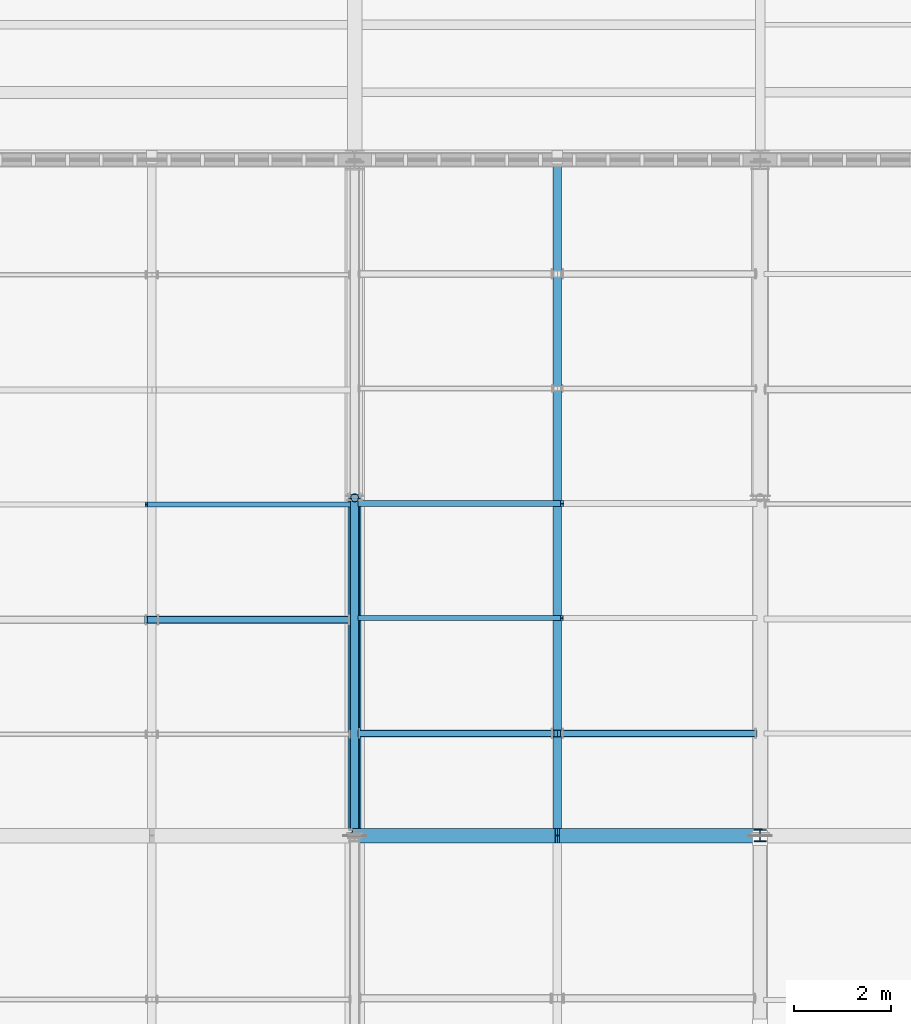
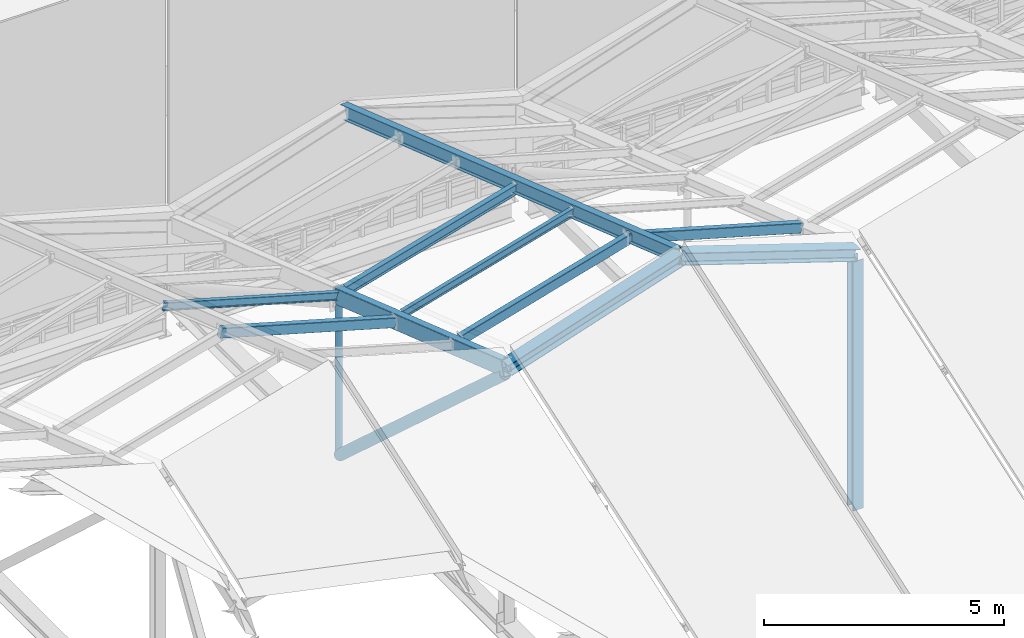
# One storey, part 18 of 77: 13 members.
"""IFC4 building model written with IfcOpenShell, lengths in metres."""

from ifc_helpers import new_model, si_unit, direction, frame, origin, origin_2d, place, context, subcontext, project, spatial, hollow_rectangle, hollow_circle, i_section, extrude, material, material_profile, profile_set, type_object, element, save


model = new_model("IFC4")

# Units and contexts
model_context = context("Model", 3, precision=1e-05, world=origin(), true_north=direction((0.0, 1.0)))
body_context = subcontext(model_context, "Body", "Model", "MODEL_VIEW")
ifc_project = project(units=[si_unit("LENGTHUNIT", "METRE"), si_unit("AREAUNIT", "SQUARE_METRE"), si_unit("VOLUMEUNIT", "CUBIC_METRE"), si_unit("PLANEANGLEUNIT", "RADIAN"), si_unit("MASSUNIT", "GRAM", prefix="KILO")], contexts=[model_context])

# Site, building, storey
site_placement = place(None, origin())
site = spatial("IfcSite", under=ifc_project, at=site_placement, CompositionType="ELEMENT")
building_placement = place(site_placement, origin())
building = spatial("IfcBuilding", under=site, at=building_placement, Name="Larkvane Passage Sports Hall", CompositionType="ELEMENT")
storey_placement = place(building_placement, frame((0.0, 0.0, 22.199951171875)))
storey = spatial("IfcBuildingStorey", under=building, at=storey_placement, Name="RF", CompositionType="ELEMENT", Elevation=22.199951171875)

# Members
ifc_material_1 = material(Name="Steel S355JR", Category="steel")
ifc_material_profile_1 = material_profile(ifc_material_1, hollow_circle(Radius=0.1337890625, WallThickness=0.00927734375, at=origin_2d()), Name="CHS-267.4x9.3")
ifc_profile_set_1 = profile_set([ifc_material_profile_1], Name="Steel S355JR")
member_type_1 = type_object("IfcMemberType", Name="MBR-BR-CHS267", PredefinedType="BRACE", material=ifc_profile_set_1)
member_1_placement = place(storey_placement, frame((51.60009765625, 61.64990234375, 6.489990234375), z_axis=(0.0, 0.741161043602, -0.67132727298), x_axis=(-1.0, 0.0, 0.0)))
element("IfcMember", 1, at=member_1_placement, inside=storey, type_object=member_type_1, Name="Arena roof truss 3 web brace 5", PredefinedType="BRACE", context=body_context, shape_type="SweptSolid", body=[
    extrude(hollow_circle(Radius=0.1337890625, WallThickness=0.00927734375, at=origin_2d()), origin(), (0.0, 0.0, 1.0), 9.309814453125),
])
ifc_material_2 = material(Name="Steel S460N", Category="steel")
ifc_material_profile_2 = material_profile(ifc_material_2, i_section(OverallWidth=0.300048828125, OverallDepth=0.300048828125, WebThickness=0.010009765625, FlangeThickness=0.014892578125, FilletRadius=0.012939453125, at=origin_2d()), Name="H-300x300x10x15")
ifc_profile_set_2 = profile_set([ifc_material_profile_2], Name="Steel S460N")
member_type_2 = type_object("IfcMemberType", Name="MBR-CH-H300", PredefinedType="CHORD", material=ifc_profile_set_2)
for number, where, z_axis, x_axis, name in (
    (2, (51.60009765625, 61.60009765625, 6.679931640625), (0.950691943721, 0.0, 0.310136789407), (0.0, 1.0, 0.0), "Arena roof fold tie 3-RIDGE-W"),
    (3, (55.800048828125, 61.60009765625, 8.050048828125), (0.950691943721, 0.0, -0.310136789407), (0.0, 1.0, 0.0), "Arena roof fold tie 3-RIDGE-E"),
):
    element("IfcMember", number, at=place(storey_placement, frame(where, z_axis=z_axis, x_axis=x_axis)), inside=storey, type_object=member_type_2, Name=name, PredefinedType="CHORD", context=body_context, shape_type="SweptSolid", body=[
        extrude(i_section(OverallWidth=0.300048828125, OverallDepth=0.300048828125, WebThickness=0.010009765625, FlangeThickness=0.014892578125, FilletRadius=0.012939453125, at=origin_2d()), origin(), (0.0, 0.0, 1.0), 4.417724609375),
    ])
ifc_material_profile_3 = material_profile(ifc_material_2, hollow_rectangle(XDim=0.199951171875, YDim=0.39990234375, WallThickness=0.013916015625, InnerFilletRadius=0.013916015625, OuterFilletRadius=0.028076171875, at=origin_2d()), Name="RHS-400x200x14")
ifc_profile_set_3 = profile_set([ifc_material_profile_3], Name="Steel S460N")
member_type_3 = type_object("IfcMemberType", Name="MBR-CH-RHS400", PredefinedType="CHORD", material=ifc_profile_set_3)
member_2_placement = place(storey_placement, frame((51.60009765625, 61.60009765625, 6.679931640625), z_axis=(0.0, 0.945949994576, -0.324312515579), x_axis=(-1.0, 0.0, 0.0)))
element("IfcMember", 4, at=member_2_placement, inside=storey, type_object=member_type_3, Name="Arena roof truss 3 top chord 5", PredefinedType="CHORD", context=body_context, shape_type="SweptSolid", body=[
    extrude(hollow_rectangle(XDim=0.199951171875, YDim=0.39990234375, WallThickness=0.013916015625, InnerFilletRadius=0.013916015625, OuterFilletRadius=0.028076171875, at=origin_2d()), origin(), (0.0, 0.0, 1.0), 7.39990234375),
])
ifc_material_profile_4 = material_profile(ifc_material_1, i_section(OverallWidth=0.10009765625, OverallDepth=0.199951171875, WebThickness=0.005615234375, FlangeThickness=0.008056640625, FilletRadius=0.008056640625, at=origin_2d()), Name="H-200x100x5.5x8")
ifc_profile_set_4 = profile_set([ifc_material_profile_4], Name="Steel S355JR")
member_type_4 = type_object("IfcMemberType", Name="MBR-PR-H200", PredefinedType="PURLIN", material=ifc_profile_set_4)
for number, where, z_axis, x_axis, name in (
    (5, (47.283935546875, 68.460693359375, 5.59375), (0.96152605678, 0.0, -0.274713745804), (0.0, 1.0, 0.0), "Folded roof purlin FRP-B2-NE-3"),
    (6, (51.6953125, 66.105712890625, 5.28271484375), (0.96152605678, 0.0, 0.274713745804), (0.0, 1.0, 0.0), "Folded roof purlin FRP-B3-NW-2"),
):
    element("IfcMember", number, at=place(storey_placement, frame(where, z_axis=z_axis, x_axis=x_axis)), inside=storey, type_object=member_type_4, Name=name, PredefinedType="PURLIN", context=body_context, shape_type="SweptSolid", body=[
        extrude(i_section(OverallWidth=0.10009765625, OverallDepth=0.199951171875, WebThickness=0.005615234375, FlangeThickness=0.008056640625, FilletRadius=0.008056640625, at=origin_2d()), origin(), (0.0, 0.0, 1.0), 4.367919921875),
    ])
ifc_material_profile_5 = material_profile(ifc_material_1, i_section(OverallWidth=0.125, OverallDepth=0.25, WebThickness=0.006103515625, FlangeThickness=0.009033203125, FilletRadius=0.008056640625, at=origin_2d()), Name="H-250x125x6x9")
ifc_profile_set_5 = profile_set([ifc_material_profile_5], Name="Steel S355JR")
member_type_5 = type_object("IfcMemberType", Name="MBR-PR-H250", PredefinedType="PURLIN", material=ifc_profile_set_5)
member_3_placement = place(storey_placement, frame((51.70166015625, 68.477783203125, 4.44384765625), z_axis=(0.961530274547, 0.0, 0.27469898276), x_axis=(0.0, 1.0, 0.0)))
element("IfcMember", 7, at=member_3_placement, inside=storey, type_object=member_type_5, Name="Folded roof purlin FRP-B3-NW-3", PredefinedType="PURLIN", context=body_context, shape_type="SweptSolid", body=[
    extrude(i_section(OverallWidth=0.125, OverallDepth=0.25, WebThickness=0.006103515625, FlangeThickness=0.009033203125, FilletRadius=0.008056640625, at=origin_2d()), origin(), (0.0, 0.0, 1.0), 4.3681640625),
])
ifc_material_profile_6 = material_profile(ifc_material_1, hollow_rectangle(XDim=0.14990234375, YDim=0.25, WallThickness=0.009033203125, InnerFilletRadius=0.009033203125, OuterFilletRadius=0.01806640625, at=origin_2d()), Name="RHS-250x150x9")
ifc_profile_set_6 = profile_set([ifc_material_profile_6], Name="Steel S355JR")
member_type_6 = type_object("IfcMemberType", Name="MBR-PR-RHS250", PredefinedType="PURLIN", material=ifc_profile_set_6)
for number, where, z_axis, x_axis, name in (
    (8, (47.27734375, 66.07275390625, 6.386962890625), (0.961511291812, 0.0, -0.274765419436), (0.0, 1.0, 0.0), "Folded roof purlin FRP-B2-NE-2"),
    (9, (51.70166015625, 63.7177734375, 6.075927734375), (0.961530274547, 0.0, 0.27469898276), (0.0, 1.0, 0.0), "Folded roof purlin FRP-B3-NW-1"),
):
    element("IfcMember", number, at=place(storey_placement, frame(where, z_axis=z_axis, x_axis=x_axis)), inside=storey, type_object=member_type_6, Name=name, PredefinedType="PURLIN", context=body_context, shape_type="SweptSolid", body=[
        extrude(hollow_rectangle(XDim=0.14990234375, YDim=0.25, WallThickness=0.009033203125, InnerFilletRadius=0.009033203125, OuterFilletRadius=0.01806640625, at=origin_2d()), origin(), (0.0, 0.0, 1.0), 4.3681640625),
    ])
member_4_placement = place(storey_placement, frame((55.6982421875, 63.7177734375, 7.27587890625), z_axis=(0.96152605678, 0.0, -0.274713745804), x_axis=(0.0, 1.0, 0.0)))
element("IfcMember", 10, at=member_4_placement, inside=storey, type_object=member_type_6, Name="Folded roof purlin FRP-B3-NE-1", PredefinedType="PURLIN", context=body_context, shape_type="SweptSolid", body=[
    extrude(hollow_rectangle(XDim=0.14990234375, YDim=0.25, WallThickness=0.009033203125, InnerFilletRadius=0.009033203125, OuterFilletRadius=0.01806640625, at=origin_2d()), origin(), (0.0, 0.0, 1.0), 4.367919921875),
])
ifc_material_profile_7 = material_profile(ifc_material_1, i_section(OverallWidth=0.175048828125, OverallDepth=0.35009765625, WebThickness=0.007080078125, FlangeThickness=0.010986328125, FilletRadius=0.012939453125, at=origin_2d()), Name="H-350x175x7x11")
ifc_profile_set_7 = profile_set([ifc_material_profile_7], Name="Steel S355JR")
member_type_7 = type_object("IfcMemberType", Name="MBR-RF-H350", PredefinedType="RAFTER", material=ifc_profile_set_7)
member_5_placement = place(storey_placement, frame((55.800048828125, 61.60009765625, 8.050048828125), z_axis=(0.0, 0.945944933771, -0.324327276487), x_axis=(-1.0, 0.0, 0.0)))
element("IfcMember", 11, at=member_5_placement, inside=storey, type_object=member_type_7, Name="Arena roof fold peak rafter 3-N", PredefinedType="RAFTER", context=body_context, shape_type="SweptSolid", body=[
    extrude(i_section(OverallWidth=0.175048828125, OverallDepth=0.35009765625, WebThickness=0.007080078125, FlangeThickness=0.010986328125, FilletRadius=0.012939453125, at=origin_2d()), origin(), (0.0, 0.0, 1.0), 14.800048828125),
])
ifc_material_profile_8 = material_profile(ifc_material_1, hollow_circle(Radius=0.08251953125, WallThickness=0.006103515625, at=origin_2d()), Name="CHS-165.2x6.0")
ifc_profile_set_8 = profile_set([ifc_material_profile_8], Name="Steel S355JR")
member_type_8 = type_object("IfcMemberType", Name="MBR-ST-CHS165", PredefinedType="STRUT", material=ifc_profile_set_8)
member_6_placement = place(storey_placement, frame((51.60009765625, 68.60009765625, 0.239990234375), z_axis=(0.0, 0.0, 1.0), x_axis=(1.0, 0.0, 0.0)))
element("IfcMember", 12, at=member_6_placement, inside=storey, type_object=member_type_8, Name="Arena roof truss 3 vertical strut 5", PredefinedType="STRUT", context=body_context, shape_type="SweptSolid", body=[
    extrude(hollow_circle(Radius=0.08251953125, WallThickness=0.006103515625, at=origin_2d()), origin(), (0.0, 0.0, 1.0), 3.85009765625),
])
ifc_material_profile_9 = material_profile(ifc_material_1, i_section(OverallWidth=0.25, OverallDepth=0.25, WebThickness=0.009033203125, FlangeThickness=0.013916015625, FilletRadius=0.012939453125, at=origin_2d()), Name="H-250x250x9x14")
ifc_profile_set_9 = profile_set([ifc_material_profile_9], Name="Steel S355JR")
member_type_9 = type_object("IfcMemberType", Name="MBR-ST-H250", PredefinedType="STRUT", material=ifc_profile_set_9)
member_7_placement = place(storey_placement, frame((60.0, 61.60009765625, 0.18994140625), z_axis=(0.0, 0.0, 1.0), x_axis=(1.0, 0.0, 0.0)))
element("IfcMember", 13, at=member_7_placement, inside=storey, type_object=member_type_9, Name="Arena roof truss 4 vertical strut 4", PredefinedType="STRUT", context=body_context, shape_type="SweptSolid", body=[
    extrude(i_section(OverallWidth=0.25, OverallDepth=0.25, WebThickness=0.009033203125, FlangeThickness=0.013916015625, FilletRadius=0.012939453125, at=origin_2d()), origin(), (0.0, 0.0, 1.0), 6.35009765625),
])

save(model, "model.ifc")
